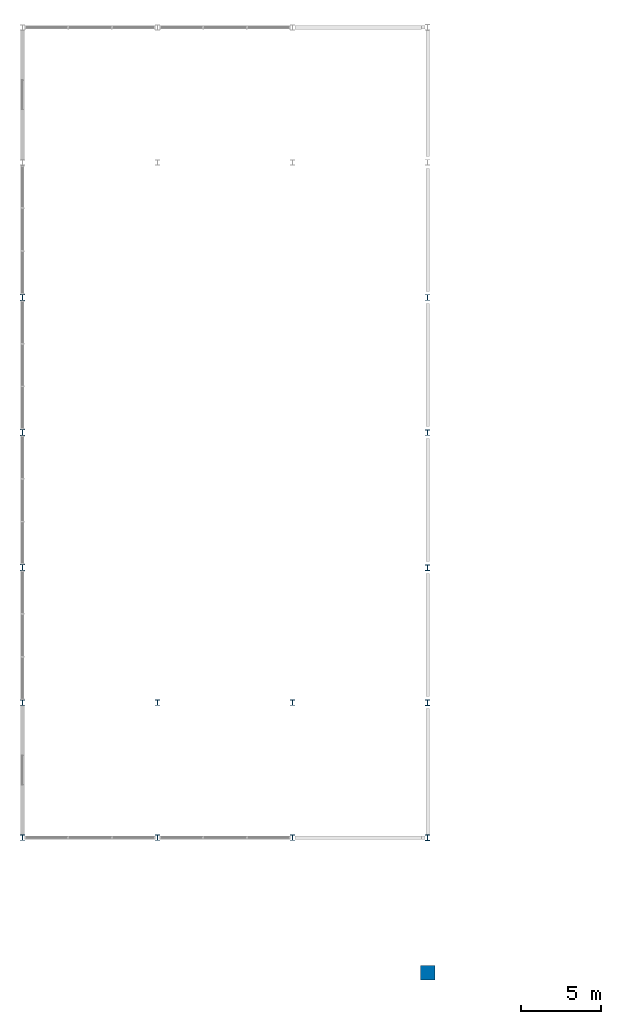
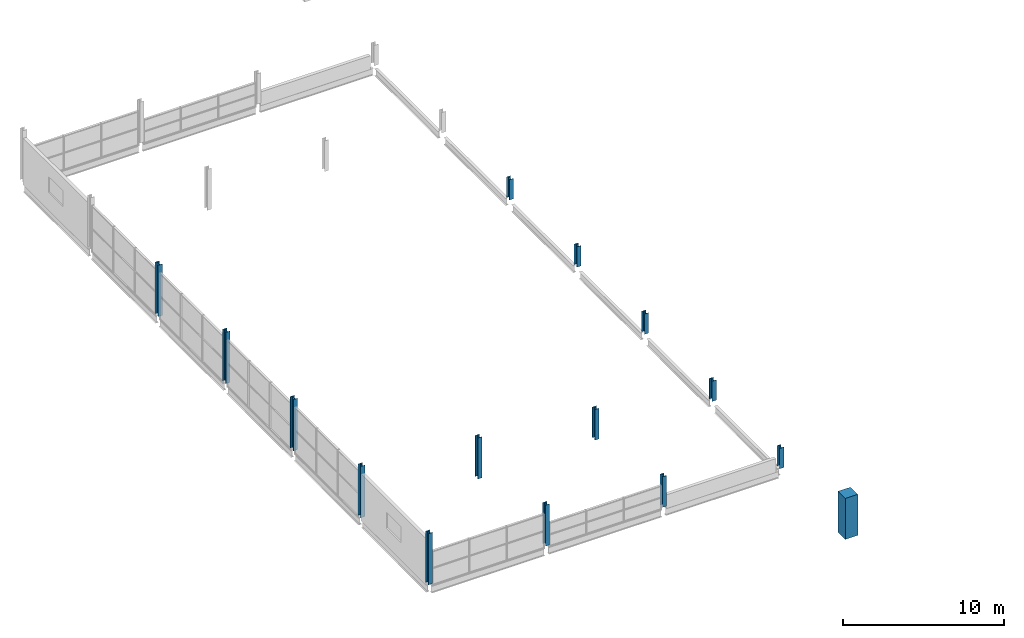
# One storey, part 1 of 43: 15 columns.
"""IFC4 building model written with IfcOpenShell, lengths in metres."""

from ifc_helpers import new_model, si_unit, direction, frame, origin, origin_2d, place, context, subcontext, project, spatial, rectangle, i_section, extrude, material, material_profile, profile_set, type_object, element, save


model = new_model("IFC4")

# Units and contexts
model_context = context("Model", 3, precision=1e-05, world=origin(), true_north=direction((0.0, 1.0)))
body_context = subcontext(model_context, "Body", "Model", "MODEL_VIEW")
ifc_project = project(units=[si_unit("LENGTHUNIT", "METRE"), si_unit("AREAUNIT", "SQUARE_METRE"), si_unit("VOLUMEUNIT", "CUBIC_METRE"), si_unit("PLANEANGLEUNIT", "RADIAN"), si_unit("MASSUNIT", "GRAM", prefix="KILO"), si_unit("THERMODYNAMICTEMPERATUREUNIT", "KELVIN")], contexts=[model_context])

# Site, building, storey
site_placement = place(None, origin())
site = spatial("IfcSite", under=ifc_project, at=site_placement, CompositionType="ELEMENT")
building_placement = place(site_placement, origin())
building = spatial("IfcBuilding", under=site, at=building_placement, Name="Nduvali Passage Aquatics Centre", CompositionType="ELEMENT")
storey_placement = place(building_placement, frame((0.0, 0.0, 17.39990234375)))
storey = spatial("IfcBuildingStorey", under=building, at=storey_placement, Name="L04", CompositionType="ELEMENT", Elevation=17.39990234375)

# Columns
ifc_material_1 = material(Name="Steel S355", Category="steel")
ifc_material_profile_1 = material_profile(ifc_material_1, i_section(OverallWidth=0.300048828125, OverallDepth=0.340087890625, WebThickness=0.011962890625, FlangeThickness=0.021484375, FilletRadius=0.027099609375, at=origin_2d()), Name="HEB 340")
ifc_profile_set_1 = profile_set([ifc_material_profile_1], Name="Steel S355")
column_type_1 = type_object("IfcColumnType", Name="STR-COL-HEB340", PredefinedType="COLUMN", material=ifc_profile_set_1)
column_1_placement = place(storey_placement, frame((8.39990234375, 42.0, 0.0), z_axis=(0.0, 0.0, 1.0), x_axis=(1.0, 0.0, 0.0)))
element("IfcColumn", 1, at=column_1_placement, inside=storey, type_object=column_type_1, Name="L04 Column C7 (8.4, 42.0)", PredefinedType="COLUMN", context=body_context, shape_type="SweptSolid", body=[
    extrude(i_section(OverallWidth=0.300048828125, OverallDepth=0.340087890625, WebThickness=0.011962890625, FlangeThickness=0.021484375, FilletRadius=0.027099609375, at=origin_2d()), origin(), (0.0, 0.0, 1.0), 3.106689453125),
])
column_2_placement = place(storey_placement, frame((16.800048828125, 42.0, 0.0), z_axis=(0.0, 0.0, 1.0), x_axis=(1.0, 0.0, 0.0)))
element("IfcColumn", 2, at=column_2_placement, inside=storey, type_object=column_type_1, Name="L04 Column C7 (16.8, 42.0)", PredefinedType="COLUMN", context=body_context, shape_type="SweptSolid", body=[
    extrude(i_section(OverallWidth=0.300048828125, OverallDepth=0.340087890625, WebThickness=0.011962890625, FlangeThickness=0.021484375, FilletRadius=0.027099609375, at=origin_2d()), origin(), (0.0, 0.0, 1.0), 2.323486328125),
])
ifc_material_profile_2 = material_profile(ifc_material_1, i_section(OverallWidth=0.300048828125, OverallDepth=0.340087890625, WebThickness=0.011962890625, FlangeThickness=0.021484375, FilletRadius=0.027099609375, at=origin_2d()), Name="HEB 340")
ifc_profile_set_2 = profile_set([ifc_material_profile_2], Name="Steel S355")
column_type_2 = type_object("IfcColumnType", Name="STR-COL-HEB340-EXT", PredefinedType="COLUMN", material=ifc_profile_set_2)
for number, where, z_axis, x_axis, name in (
    (3, (0.0, 33.60009765625, 0.0), (0.0, 0.0, 1.0), (1.0, 0.0, 0.0), "L04 Column C7E (0.0, 33.6)"),
    (4, (0.0, 42.0, 0.0), (0.0, 0.0, 1.0), (1.0, 0.0, 0.0), "L04 Column C7E (0.0, 42.0)"),
):
    element("IfcColumn", number, at=place(storey_placement, frame(where, z_axis=z_axis, x_axis=x_axis)), inside=storey, type_object=column_type_2, Name=name, PredefinedType="COLUMN", context=body_context, shape_type="SweptSolid", body=[
        extrude(i_section(OverallWidth=0.300048828125, OverallDepth=0.340087890625, WebThickness=0.011962890625, FlangeThickness=0.021484375, FilletRadius=0.027099609375, at=origin_2d()), origin(), (0.0, 0.0, 1.0), 3.89013671875),
    ])
column_3_placement = place(storey_placement, frame((8.39990234375, 33.60009765625, 0.0), z_axis=(0.0, 0.0, 1.0), x_axis=(1.0, 0.0, 0.0)))
element("IfcColumn", 5, at=column_3_placement, inside=storey, type_object=column_type_2, Name="L04 Column C7E (8.4, 33.6)", PredefinedType="COLUMN", context=body_context, shape_type="SweptSolid", body=[
    extrude(i_section(OverallWidth=0.300048828125, OverallDepth=0.340087890625, WebThickness=0.011962890625, FlangeThickness=0.021484375, FilletRadius=0.027099609375, at=origin_2d()), origin(), (0.0, 0.0, 1.0), 3.106689453125),
])
column_4_placement = place(storey_placement, frame((16.800048828125, 33.60009765625, 0.0), z_axis=(0.0, 0.0, 1.0), x_axis=(1.0, 0.0, 0.0)))
element("IfcColumn", 6, at=column_4_placement, inside=storey, type_object=column_type_2, Name="L04 Column C7E (16.8, 33.6)", PredefinedType="COLUMN", context=body_context, shape_type="SweptSolid", body=[
    extrude(i_section(OverallWidth=0.300048828125, OverallDepth=0.340087890625, WebThickness=0.011962890625, FlangeThickness=0.021484375, FilletRadius=0.027099609375, at=origin_2d()), origin(), (0.0, 0.0, 1.0), 2.323486328125),
])
ifc_material_profile_3 = material_profile(ifc_material_1, i_section(OverallWidth=0.300048828125, OverallDepth=0.360107421875, WebThickness=0.012451171875, FlangeThickness=0.0224609375, FilletRadius=0.027099609375, at=origin_2d()), Name="HEB 360")
ifc_profile_set_3 = profile_set([ifc_material_profile_3], Name="Steel S355")
column_type_3 = type_object("IfcColumnType", Name="STR-COL-HEB360", PredefinedType="COLUMN", material=ifc_profile_set_3)
for number, where, z_axis, x_axis, name in (
    (7, (25.199951171875, 33.60009765625, 0.0), (0.0, 0.0, 1.0), (1.0, 0.0, 0.0), "L04 Column C7B (25.2, 33.6)"),
    (8, (25.199951171875, 42.0, 0.0), (0.0, 0.0, 1.0), (1.0, 0.0, 0.0), "L04 Column C7B (25.2, 42.0)"),
    (9, (25.199951171875, 50.39990234375, 0.0), (0.0, 0.0, 1.0), (1.0, 0.0, 0.0), "L04 Column C7B (25.2, 50.4)"),
    (10, (25.199951171875, 58.800048828125, 0.0), (0.0, 0.0, 1.0), (1.0, 0.0, 0.0), "L04 Column C7B (25.2, 58.8)"),
    (11, (25.199951171875, 67.199951171875, 0.0), (0.0, 0.0, 1.0), (1.0, 0.0, 0.0), "L04 Column C7B (25.2, 67.2)"),
):
    element("IfcColumn", number, at=place(storey_placement, frame(where, z_axis=z_axis, x_axis=x_axis)), inside=storey, type_object=column_type_3, Name=name, PredefinedType="COLUMN", context=body_context, shape_type="SweptSolid", body=[
        extrude(i_section(OverallWidth=0.300048828125, OverallDepth=0.360107421875, WebThickness=0.012451171875, FlangeThickness=0.0224609375, FilletRadius=0.027099609375, at=origin_2d()), origin(), (0.0, 0.0, 1.0), 1.5400390625),
    ])
ifc_material_profile_4 = material_profile(ifc_material_1, i_section(OverallWidth=0.300048828125, OverallDepth=0.39990234375, WebThickness=0.013427734375, FlangeThickness=0.02392578125, FilletRadius=0.027099609375, at=origin_2d()), Name="HEB 400")
ifc_profile_set_4 = profile_set([ifc_material_profile_4], Name="Steel S355")
column_type_4 = type_object("IfcColumnType", Name="STR-COL-HEB400-EXT", PredefinedType="COLUMN", material=ifc_profile_set_4)
for number, where, z_axis, x_axis, name in (
    (12, (0.0, 50.39990234375, 0.0), (0.0, 0.0, 1.0), (1.0, 0.0, 0.0), "L04 Column C7AE (0.0, 50.4)"),
    (13, (0.0, 58.800048828125, 0.0), (0.0, 0.0, 1.0), (1.0, 0.0, 0.0), "L04 Column C7AE (0.0, 58.8)"),
    (14, (0.0, 67.199951171875, 0.0), (0.0, 0.0, 1.0), (1.0, 0.0, 0.0), "L04 Column C7AE (0.0, 67.2)"),
):
    element("IfcColumn", number, at=place(storey_placement, frame(where, z_axis=z_axis, x_axis=x_axis)), inside=storey, type_object=column_type_4, Name=name, PredefinedType="COLUMN", context=body_context, shape_type="SweptSolid", body=[
        extrude(i_section(OverallWidth=0.300048828125, OverallDepth=0.39990234375, WebThickness=0.013427734375, FlangeThickness=0.02392578125, FilletRadius=0.027099609375, at=origin_2d()), origin(), (0.0, 0.0, 1.0), 3.89013671875),
    ])
ifc_material_2 = material(Name="Concrete C40/50", Category="concrete")
ifc_material_profile_5 = material_profile(ifc_material_2, rectangle(XDim=0.89990234375, YDim=0.89990234375, at=origin_2d()), Name="RC 900x900")
ifc_profile_set_5 = profile_set([ifc_material_profile_5], Name="Concrete C40/50")
column_type_5 = type_object("IfcColumnType", Name="STR-COL-RC900-EXT", PredefinedType="COLUMN", material=ifc_profile_set_5)
column_5_placement = place(storey_placement, frame((25.199951171875, 25.199951171875, 0.0), z_axis=(0.0, 0.0, 1.0), x_axis=(1.0, 0.0, 0.0)))
element("IfcColumn", 15, at=column_5_placement, inside=storey, type_object=column_type_5, Name="L04 Column C1E (25.2, 25.2)", PredefinedType="COLUMN", context=body_context, shape_type="SweptSolid", body=[
    extrude(rectangle(XDim=0.89990234375, YDim=0.89990234375, at=origin_2d()), origin(), (0.0, 0.0, 1.0), 3.108154296875),
])

save(model, "model.ifc")
